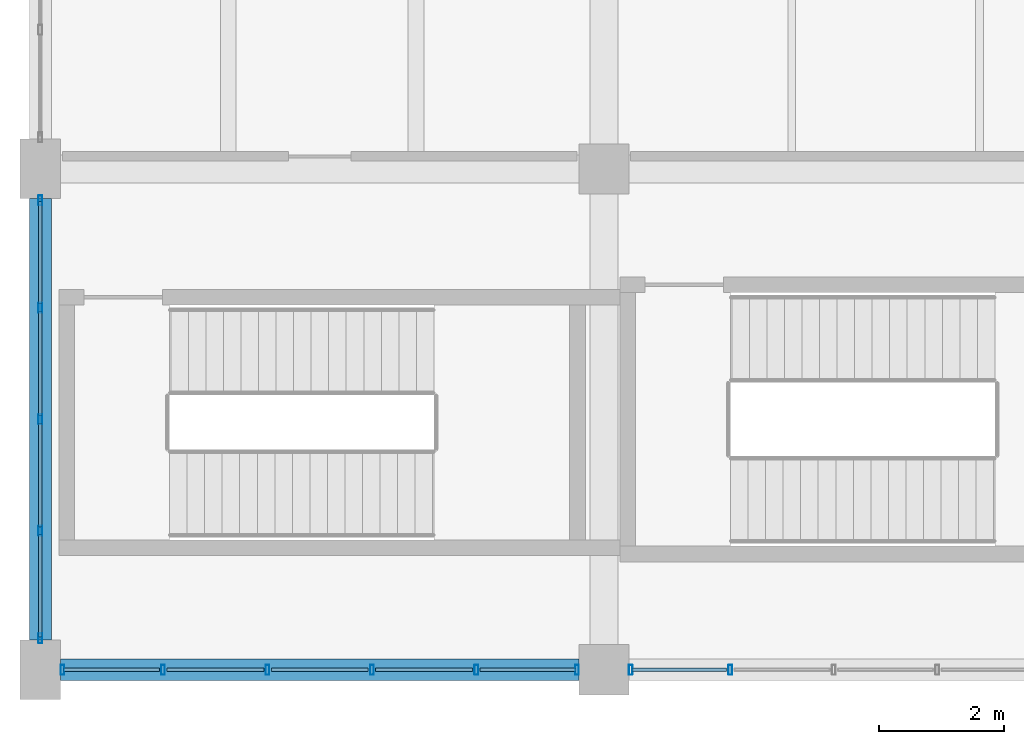
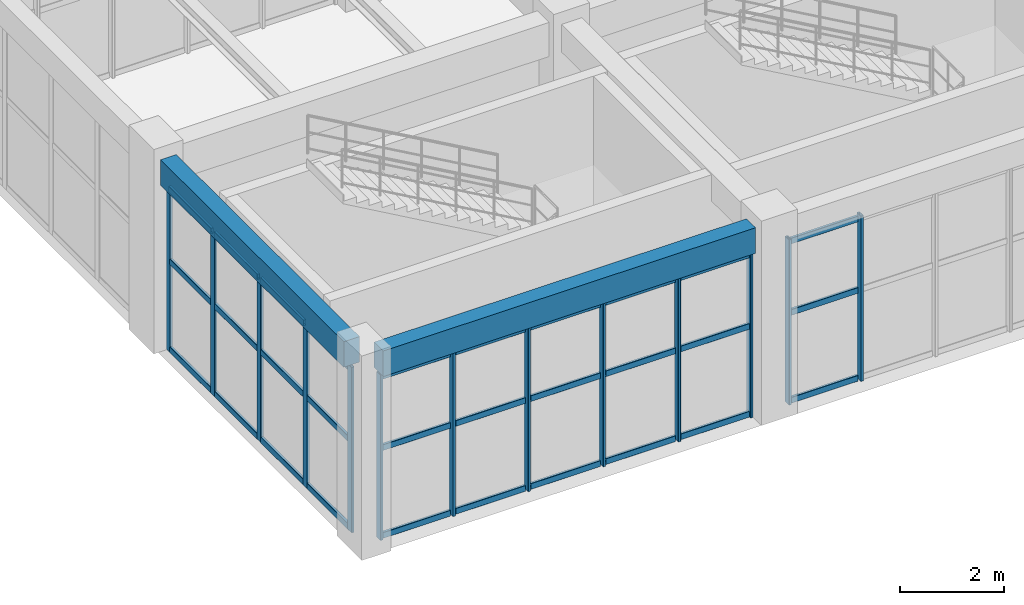
# One storey, part 11 of 178: 43 members, 2 beams, 3 elements without a shape of their own.
"""IFC4 building model written with IfcOpenShell, lengths in metres."""

import ifcopenshell
import ifcopenshell.guid

model = None  # the IFC model being written
_history = None  # IfcOwnerHistory: only IFC2X3 demands one
_inside = {}  # id of a spatial element -> (the spatial element, [elements in it])
_under = {}  # id of a project, library or spatial element -> (it, [spatial elements below it])
_declared = {}  # id of a project -> (the project, [libraries it declares])
_typed = {}  # id of a type object -> (the type object, [elements of that type])
_made_of = {}  # id of a material, layer set ... -> (it, [elements and type objects made of it])


def new_model(schema):
    """Start an empty IFC model of exactly this schema.

    Asked for "IFC4X3", IfcOpenShell would pick the latest addendum, in which some entities
    have other attributes; the version numbers below select the first issue.
    IFC2X3 requires an IfcOwnerHistory on every rooted entity: one is made here for all.
    """
    global model, _history
    if schema == "IFC4X3":
        model = ifcopenshell.file(schema_version=(4, 3, 0, 0))
    else:
        model = ifcopenshell.file(schema=schema)
    _inside.clear()
    _under.clear()
    _declared.clear()
    _typed.clear()
    _made_of.clear()
    _history = None
    if model.schema == "IFC2X3":
        org = make("IfcOrganization", Name="unknown")
        user = make(
            "IfcPersonAndOrganization",
            ThePerson=make("IfcPerson", FamilyName="unknown"),
            TheOrganization=org,
        )
        app = make(
            "IfcApplication",
            ApplicationDeveloper=org,
            Version="unknown",
            ApplicationFullName="unknown",
            ApplicationIdentifier="unknown",
        )
        _history = make(
            "IfcOwnerHistory",
            OwningUser=user,
            OwningApplication=app,
            ChangeAction="ADDED",
            CreationDate=0,
        )
    return model


def make(cls, **values):
    """One entity of the class cls with the attributes given. An attribute that is None is left unset."""
    return model.create_entity(
        cls, **{name: value for name, value in values.items() if value is not None}
    )


def rooted(cls, **values):
    """An entity with a GlobalId (a new one), such as an element, a storey or a relation."""
    return make(cls, GlobalId=ifcopenshell.guid.new(), OwnerHistory=_history, **values)


def si_unit(unit_type, name, prefix=None):
    """IfcSIUnit, for example si_unit("LENGTHUNIT", "METRE", prefix="MILLI")."""
    return make("IfcSIUnit", UnitType=unit_type, Prefix=prefix, Name=name)


def derived_unit(unit_type, elements):
    """IfcDerivedUnit: a product of units, each with its exponent."""
    return make(
        "IfcDerivedUnit",
        Elements=[
            make("IfcDerivedUnitElement", Unit=unit, Exponent=power)
            for unit, power in elements
        ],
        UnitType=unit_type,
    )


def assignment(units):
    """IfcUnitAssignment: the units of a project."""
    return None if units is None else make("IfcUnitAssignment", Units=units)


def point(xyz):
    """IfcCartesianPoint."""
    return None if xyz is None else make("IfcCartesianPoint", Coordinates=xyz)


def direction(xyz):
    """IfcDirection."""
    return None if xyz is None else make("IfcDirection", DirectionRatios=xyz)


def frame(location, z_axis=None, x_axis=None):
    """IfcAxis2Placement3D, a coordinate frame: its origin and axes. An axis left out is left unset."""
    return make(
        "IfcAxis2Placement3D",
        Location=point(location),
        Axis=direction(z_axis),
        RefDirection=direction(x_axis),
    )


def frame_2d(location, x_axis=None):
    """IfcAxis2Placement2D, a coordinate frame in the plane: its origin and x axis."""
    return make(
        "IfcAxis2Placement2D", Location=point(location), RefDirection=direction(x_axis)
    )


def origin():
    """The frame at (0, 0, 0) with its axes left unset."""
    return frame((0.0, 0.0, 0.0))


def origin_2d():
    """The frame at (0, 0) in the plane with its x axis left unset."""
    return frame_2d((0.0, 0.0))


def place(relative_to, where):
    """IfcLocalPlacement: puts the frame where relative to a parent placement (None: the world)."""
    return make(
        "IfcLocalPlacement", PlacementRelTo=relative_to, RelativePlacement=where
    )


def context(
    kind, dimensions, precision=None, world=None, true_north=None, identifier=None
):
    """IfcGeometricRepresentationContext, for example the 3D "Model" context."""
    return make(
        "IfcGeometricRepresentationContext",
        ContextIdentifier=identifier,
        ContextType=kind,
        CoordinateSpaceDimension=dimensions,
        Precision=precision,
        WorldCoordinateSystem=world,
        TrueNorth=true_north,
    )


def subcontext(parent, identifier, kind, view, scale=None):
    """IfcGeometricRepresentationSubContext, for example "Body" below "Model"."""
    return make(
        "IfcGeometricRepresentationSubContext",
        ContextIdentifier=identifier,
        ContextType=kind,
        ParentContext=parent,
        TargetScale=scale,
        TargetView=view,
    )


def project(units=None, contexts=None):
    """IfcProject with its units and contexts."""
    return rooted(
        "IfcProject",
        Name="project",
        RepresentationContexts=contexts,
        UnitsInContext=assignment(units),
    )


def spatial(cls, under=None, at=None, **own):
    """A site, building, storey or space (cls), placed at a placement, below another one or the project."""
    s = rooted(cls, ObjectPlacement=at, **own)
    if under is not None:
        _under.setdefault(under.id(), (under, []))[1].append(s)
    return s


def profile(cls, at=None, kind="AREA", **sizes):
    """A parametric profile (cls). Its sizes go by their IFC names, for example OverallWidth=200.0."""
    return make(cls, ProfileType=kind, Position=at, **sizes)


def rectangle(**sizes):
    """IfcRectangleProfileDef."""
    return profile("IfcRectangleProfileDef", **sizes)


def hollow_rectangle(**sizes):
    """IfcRectangleHollowProfileDef."""
    return profile("IfcRectangleHollowProfileDef", **sizes)


def extrude(swept, where, along, depth):
    """IfcExtrudedAreaSolid: the profile swept, set in the frame where, extruded along a direction by depth."""
    return make(
        "IfcExtrudedAreaSolid",
        SweptArea=swept,
        Position=where,
        ExtrudedDirection=direction(along),
        Depth=depth,
    )


def shape(context_of_items, identifier, shape_type, items):
    """IfcShapeRepresentation: the items that make up one representation, for example the "Body"."""
    return make(
        "IfcShapeRepresentation",
        ContextOfItems=context_of_items,
        RepresentationIdentifier=identifier,
        RepresentationType=shape_type,
        Items=items,
    )


def material(Name=None, Category=None):
    """IfcMaterial."""
    return make("IfcMaterial", Name=Name, Category=Category)


def material_profile(
    of_material, cross_section, Name=None, Category=None, Priority=None
):
    """IfcMaterialProfile: a cross section and its material."""
    return make(
        "IfcMaterialProfile",
        Name=Name,
        Material=of_material,
        Profile=cross_section,
        Priority=Priority,
        Category=Category,
    )


def profile_set(profiles, Name=None, composite=None):
    """IfcMaterialProfileSet."""
    return make(
        "IfcMaterialProfileSet",
        Name=Name,
        MaterialProfiles=profiles,
        CompositeProfile=composite,
    )


def made_of(thing, what):
    """Note that an element or type object is made of a material, layer set ...; save() writes the relation."""
    if what is not None:
        _made_of.setdefault(what.id(), (what, []))[1].append(thing)
    return thing


def type_object(cls, material=None, **own):
    """A type object (cls), such as IfcWallType, which elements share."""
    return made_of(rooted(cls, **own), material)


def element(
    cls,
    number,
    at=None,
    inside=None,
    cuts=None,
    type_object=None,
    material=None,
    context=None,
    identifier="Body",
    shape_type=None,
    held_by="IfcProductDefinitionShape",
    body=None,
    shapes=None,
    **own,
):
    """One element of the class cls, such as IfcWall. Its Tag is "e" and its number.

    at: its placement. inside: the storey or other place that contains it. cuts: it is an
    opening in that element (IfcRelVoidsElement). A single representation is given by context,
    identifier, shape_type and body (its items); several are given by shapes. held_by: the class
    of the entity that holds the representations. save() writes the other relations.
    """
    e = rooted(cls, Tag="e%d" % number, ObjectPlacement=at, **own)
    if body is not None:
        shapes = [shape(context, identifier, shape_type, body)]
    if shapes is not None:
        e.Representation = make(held_by, Representations=shapes)
    if inside is not None:
        _inside.setdefault(inside.id(), (inside, []))[1].append(e)
    if cuts is not None:
        rooted(
            "IfcRelVoidsElement", RelatingBuildingElement=cuts, RelatedOpeningElement=e
        )
    if type_object is not None:
        _typed.setdefault(type_object.id(), (type_object, []))[1].append(e)
    return made_of(e, material)


def aggregate(whole, parts):
    """IfcRelAggregates: a whole, such as a stair, and the parts it consists of."""
    return rooted("IfcRelAggregates", RelatingObject=whole, RelatedObjects=parts)


def save(model, path):
    """Write the relations noted so far, then the file.

    IfcRelAggregates (storeys below a building ...), IfcRelContainedInSpatialStructure (elements
    in a storey), IfcRelDefinesByType, IfcRelAssociatesMaterial and IfcRelDeclares: one each for
    every whole, place, type object, material and project.
    """
    for whole, parts in _under.values():
        aggregate(whole, parts)
    for where, things in _inside.values():
        rooted(
            "IfcRelContainedInSpatialStructure",
            RelatedElements=things,
            RelatingStructure=where,
        )
    for kind, things in _typed.values():
        rooted("IfcRelDefinesByType", RelatedObjects=things, RelatingType=kind)
    for what, things in _made_of.values():
        rooted("IfcRelAssociatesMaterial", RelatedObjects=things, RelatingMaterial=what)
    for by, libraries in _declared.values():
        rooted("IfcRelDeclares", RelatingContext=by, RelatedDefinitions=libraries)
    model.write(path)


model = new_model("IFC4")

# Units and contexts
model_context = context("Model", 3, precision=1e-05, world=origin(), true_north=direction((0.0, 1.0)))
body_context = subcontext(model_context, "Body", "Model", "MODEL_VIEW")
ifc_project = project(units=[si_unit("LENGTHUNIT", "METRE"), si_unit("AREAUNIT", "SQUARE_METRE"), si_unit("VOLUMEUNIT", "CUBIC_METRE"), si_unit("PLANEANGLEUNIT", "RADIAN"), si_unit("MASSUNIT", "GRAM", prefix="KILO"), derived_unit("THERMALTRANSMITTANCEUNIT", [(si_unit("MASSUNIT", "GRAM", prefix="KILO"), 1), (si_unit("TIMEUNIT", "SECOND"), -3), (si_unit("THERMODYNAMICTEMPERATUREUNIT", "KELVIN"), -1)])], contexts=[model_context])

# Site, building, storey
site_placement = place(None, origin())
site = spatial("IfcSite", under=ifc_project, at=site_placement, CompositionType="ELEMENT")
building_placement = place(site_placement, origin())
building = spatial("IfcBuilding", under=site, at=building_placement, Name="Zhenchuan Archway Interchange", CompositionType="ELEMENT")
storey_placement = place(building_placement, frame((0.0, 0.0, 5.39990234375)))
storey = spatial("IfcBuildingStorey", under=building, at=storey_placement, Name="L01", CompositionType="ELEMENT", Elevation=5.39990234375)

# Curtain wall, members
ifc_material_1 = material(Name="Anodised Aluminium", Category="aluminium")
curtain_wall_type_1 = type_object("IfcCurtainWallType", Name="CW_UNIT_2", PredefinedType="NOTDEFINED", material=ifc_material_1)
curtain_wall_1_placement = place(storey_placement, origin())
curtain_wall_1 = element("IfcCurtainWall", 1, at=curtain_wall_1_placement, inside=storey, type_object=curtain_wall_type_1, Name="Unitised curtain wall CW:L01:085", PredefinedType="NOTDEFINED")
ifc_material_profile_1 = material_profile(ifc_material_1, hollow_rectangle(XDim=0.06005859375, YDim=0.159912109375, WallThickness=0.00390625, InnerFilletRadius=0.00390625, OuterFilletRadius=0.008056640625, at=origin_2d()), Name="ALU 160x60x4")
ifc_profile_set_1 = profile_set([ifc_material_profile_1], Name="Anodised Aluminium")
member_type_1 = type_object("IfcMemberType", Name="CW_MUL_150", PredefinedType="MULLION", material=ifc_profile_set_1)
member_1_placement = place(storey_placement, frame((11.020751953125, 0.0, 0.0), z_axis=(0.0, 0.0, 1.0), x_axis=(1.0, 0.0, 0.0)))
member_1 = element("IfcMember", 2, at=member_1_placement, type_object=member_type_1, Name="CW:L01:085 mullion 4", PredefinedType="MULLION", context=body_context, shape_type="SweptSolid", body=[
    extrude(hollow_rectangle(XDim=0.06005859375, YDim=0.159912109375, WallThickness=0.00390625, InnerFilletRadius=0.00390625, OuterFilletRadius=0.008056640625, at=origin_2d()), origin(), (0.0, 0.0, 1.0), 3.880126953125),
])
member_2_placement = place(storey_placement, frame((9.427978515625, 0.0, 0.0), z_axis=(0.0, 0.0, 1.0), x_axis=(1.0, 0.0, 0.0)))
member_2 = element("IfcMember", 3, at=member_2_placement, type_object=member_type_1, Name="CW:L01:085 mullion 5", PredefinedType="MULLION", context=body_context, shape_type="SweptSolid", body=[
    extrude(hollow_rectangle(XDim=0.06005859375, YDim=0.159912109375, WallThickness=0.00390625, InnerFilletRadius=0.00390625, OuterFilletRadius=0.008056640625, at=origin_2d()), origin(), (0.0, 0.0, 1.0), 3.880126953125),
])

curtain_wall_type_2 = type_object("IfcCurtainWallType", Name="CW_UNIT_3", PredefinedType="NOTDEFINED", material=ifc_material_1)
curtain_wall_2_placement = place(storey_placement, origin())
curtain_wall_2 = element("IfcCurtainWall", 4, at=curtain_wall_2_placement, inside=storey, type_object=curtain_wall_type_2, Name="Unitised curtain wall CW:L01:086", PredefinedType="NOTDEFINED")
member_3_placement = place(storey_placement, frame((8.572021484375, 0.0, 0.0), z_axis=(0.0, 0.0, 1.0), x_axis=(1.0, 0.0, 0.0)))
member_3 = element("IfcMember", 5, at=member_3_placement, type_object=member_type_1, Name="CW:L01:086 mullion 0", PredefinedType="MULLION", context=body_context, shape_type="SweptSolid", body=[
    extrude(hollow_rectangle(XDim=0.06005859375, YDim=0.159912109375, WallThickness=0.00390625, InnerFilletRadius=0.00390625, OuterFilletRadius=0.008056640625, at=origin_2d()), origin(), (0.0, 0.0, 1.0), 3.880126953125),
])
member_4_placement = place(storey_placement, frame((6.964111328125, 0.0, 0.0), z_axis=(0.0, 0.0, 1.0), x_axis=(1.0, 0.0, 0.0)))
member_4 = element("IfcMember", 6, at=member_4_placement, type_object=member_type_1, Name="CW:L01:086 mullion 1", PredefinedType="MULLION", context=body_context, shape_type="SweptSolid", body=[
    extrude(hollow_rectangle(XDim=0.06005859375, YDim=0.159912109375, WallThickness=0.00390625, InnerFilletRadius=0.00390625, OuterFilletRadius=0.008056640625, at=origin_2d()), origin(), (0.0, 0.0, 1.0), 3.880126953125),
])
member_5_placement = place(storey_placement, frame((5.29638671875, 0.0, 0.0), z_axis=(0.0, 0.0, 1.0), x_axis=(1.0, 0.0, 0.0)))
member_5 = element("IfcMember", 7, at=member_5_placement, type_object=member_type_1, Name="CW:L01:086 mullion 2", PredefinedType="MULLION", context=body_context, shape_type="SweptSolid", body=[
    extrude(hollow_rectangle(XDim=0.06005859375, YDim=0.159912109375, WallThickness=0.00390625, InnerFilletRadius=0.00390625, OuterFilletRadius=0.008056640625, at=origin_2d()), origin(), (0.0, 0.0, 1.0), 3.880126953125),
])
member_6_placement = place(storey_placement, frame((3.628662109375, 0.0, 0.0), z_axis=(0.0, 0.0, 1.0), x_axis=(1.0, 0.0, 0.0)))
member_6 = element("IfcMember", 8, at=member_6_placement, type_object=member_type_1, Name="CW:L01:086 mullion 3", PredefinedType="MULLION", context=body_context, shape_type="SweptSolid", body=[
    extrude(hollow_rectangle(XDim=0.06005859375, YDim=0.159912109375, WallThickness=0.00390625, InnerFilletRadius=0.00390625, OuterFilletRadius=0.008056640625, at=origin_2d()), origin(), (0.0, 0.0, 1.0), 3.880126953125),
])
member_7_placement = place(storey_placement, frame((1.960693359375, 0.0, 0.0), z_axis=(0.0, 0.0, 1.0), x_axis=(1.0, 0.0, 0.0)))
member_7 = element("IfcMember", 9, at=member_7_placement, type_object=member_type_1, Name="CW:L01:086 mullion 4", PredefinedType="MULLION", context=body_context, shape_type="SweptSolid", body=[
    extrude(hollow_rectangle(XDim=0.06005859375, YDim=0.159912109375, WallThickness=0.00390625, InnerFilletRadius=0.00390625, OuterFilletRadius=0.008056640625, at=origin_2d()), origin(), (0.0, 0.0, 1.0), 3.880126953125),
])
member_8_placement = place(storey_placement, frame((0.35302734375, 0.0, 0.0), z_axis=(0.0, 0.0, 1.0), x_axis=(1.0, 0.0, 0.0)))
member_8 = element("IfcMember", 10, at=member_8_placement, type_object=member_type_1, Name="CW:L01:086 mullion 5", PredefinedType="MULLION", context=body_context, shape_type="SweptSolid", body=[
    extrude(hollow_rectangle(XDim=0.06005859375, YDim=0.159912109375, WallThickness=0.00390625, InnerFilletRadius=0.00390625, OuterFilletRadius=0.008056640625, at=origin_2d()), origin(), (0.0, 0.0, 1.0), 3.880126953125),
])

curtain_wall_type_3 = type_object("IfcCurtainWallType", Name="CW_UNIT_4", PredefinedType="NOTDEFINED", material=ifc_material_1)
curtain_wall_3_placement = place(storey_placement, origin())
curtain_wall_3 = element("IfcCurtainWall", 11, at=curtain_wall_3_placement, inside=storey, type_object=curtain_wall_type_3, Name="Unitised curtain wall CW:L01:087", PredefinedType="NOTDEFINED")
member_9_placement = place(storey_placement, frame((0.0, 0.5029296875, 0.0), z_axis=(0.0, 0.0, 1.0), x_axis=(1.0, 0.0, 0.0)))
member_9 = element("IfcMember", 12, at=member_9_placement, type_object=member_type_1, Name="CW:L01:087 mullion 0", PredefinedType="MULLION", context=body_context, shape_type="SweptSolid", body=[
    extrude(hollow_rectangle(XDim=0.06005859375, YDim=0.159912109375, WallThickness=0.00390625, InnerFilletRadius=0.00390625, OuterFilletRadius=0.008056640625, at=origin_2d()), origin(), (0.0, 0.0, 1.0), 3.880126953125),
])
member_10_placement = place(storey_placement, frame((0.0, 2.221435546875, 0.0), z_axis=(0.0, 0.0, 1.0), x_axis=(1.0, 0.0, 0.0)))
member_10 = element("IfcMember", 13, at=member_10_placement, type_object=member_type_1, Name="CW:L01:087 mullion 1", PredefinedType="MULLION", context=body_context, shape_type="SweptSolid", body=[
    extrude(hollow_rectangle(XDim=0.06005859375, YDim=0.159912109375, WallThickness=0.00390625, InnerFilletRadius=0.00390625, OuterFilletRadius=0.008056640625, at=origin_2d()), origin(), (0.0, 0.0, 1.0), 3.880126953125),
])
member_11_placement = place(storey_placement, frame((0.0, 4.0, 0.0), z_axis=(0.0, 0.0, 1.0), x_axis=(1.0, 0.0, 0.0)))
member_11 = element("IfcMember", 14, at=member_11_placement, type_object=member_type_1, Name="CW:L01:087 mullion 2", PredefinedType="MULLION", context=body_context, shape_type="SweptSolid", body=[
    extrude(hollow_rectangle(XDim=0.06005859375, YDim=0.159912109375, WallThickness=0.00390625, InnerFilletRadius=0.00390625, OuterFilletRadius=0.008056640625, at=origin_2d()), origin(), (0.0, 0.0, 1.0), 3.880126953125),
])
member_12_placement = place(storey_placement, frame((0.0, 5.778564453125, 0.0), z_axis=(0.0, 0.0, 1.0), x_axis=(1.0, 0.0, 0.0)))
member_12 = element("IfcMember", 15, at=member_12_placement, type_object=member_type_1, Name="CW:L01:087 mullion 3", PredefinedType="MULLION", context=body_context, shape_type="SweptSolid", body=[
    extrude(hollow_rectangle(XDim=0.06005859375, YDim=0.159912109375, WallThickness=0.00390625, InnerFilletRadius=0.00390625, OuterFilletRadius=0.008056640625, at=origin_2d()), origin(), (0.0, 0.0, 1.0), 3.880126953125),
])
member_13_placement = place(storey_placement, frame((0.0, 7.4970703125, 0.0), z_axis=(0.0, 0.0, 1.0), x_axis=(1.0, 0.0, 0.0)))
member_13 = element("IfcMember", 16, at=member_13_placement, type_object=member_type_1, Name="CW:L01:087 mullion 4", PredefinedType="MULLION", context=body_context, shape_type="SweptSolid", body=[
    extrude(hollow_rectangle(XDim=0.06005859375, YDim=0.159912109375, WallThickness=0.00390625, InnerFilletRadius=0.00390625, OuterFilletRadius=0.008056640625, at=origin_2d()), origin(), (0.0, 0.0, 1.0), 3.880126953125),
])

# Member
ifc_material_profile_2 = material_profile(ifc_material_1, hollow_rectangle(XDim=0.06005859375, YDim=0.139892578125, WallThickness=0.00341796875, InnerFilletRadius=0.00341796875, OuterFilletRadius=0.007080078125, at=origin_2d()), Name="ALU 140x60x3.5")
ifc_profile_set_2 = profile_set([ifc_material_profile_2], Name="Anodised Aluminium")
member_type_2 = type_object("IfcMemberType", Name="CW_TRN_140", PredefinedType="USERDEFINED", material=ifc_profile_set_2)
member_14_placement = place(storey_placement, frame((10.960693359375, 0.0, 0.06005859375), z_axis=(-1.0, 0.0, 0.0), x_axis=(0.0, -1.0, 0.0)))
member_14 = element("IfcMember", 17, at=member_14_placement, type_object=member_type_2, Name="CW:L01:085 transom 4-1", ObjectType="TRANSOM", PredefinedType="USERDEFINED", context=body_context, shape_type="SweptSolid", body=[
    extrude(hollow_rectangle(XDim=0.06005859375, YDim=0.139892578125, WallThickness=0.00341796875, InnerFilletRadius=0.00341796875, OuterFilletRadius=0.007080078125, at=origin_2d()), origin(), (0.0, 0.0, 1.0), 1.5126953125),
])

member_15_placement = place(storey_placement, frame((10.960693359375, 0.0, 2.123046875), z_axis=(-1.0, 0.0, 0.0), x_axis=(0.0, -1.0, 0.0)))
member_15 = element("IfcMember", 18, at=member_15_placement, type_object=member_type_2, Name="CW:L01:085 transom 4-2", ObjectType="TRANSOM", PredefinedType="USERDEFINED", context=body_context, shape_type="SweptSolid", body=[
    extrude(hollow_rectangle(XDim=0.06005859375, YDim=0.139892578125, WallThickness=0.00341796875, InnerFilletRadius=0.00341796875, OuterFilletRadius=0.007080078125, at=origin_2d()), origin(), (0.0, 0.0, 1.0), 1.5126953125),
])

member_16_placement = place(storey_placement, frame((10.960693359375, 0.0, 3.800048828125), z_axis=(-1.0, 0.0, 0.0), x_axis=(0.0, -1.0, 0.0)))
member_16 = element("IfcMember", 19, at=member_16_placement, type_object=member_type_2, Name="CW:L01:085 transom 4-3", ObjectType="TRANSOM", PredefinedType="USERDEFINED", context=body_context, shape_type="SweptSolid", body=[
    extrude(hollow_rectangle(XDim=0.06005859375, YDim=0.139892578125, WallThickness=0.00341796875, InnerFilletRadius=0.00341796875, OuterFilletRadius=0.007080078125, at=origin_2d()), origin(), (0.0, 0.0, 1.0), 1.5126953125),
])

aggregate(curtain_wall_1, [member_1, member_2, member_14, member_15, member_16])

member_17_placement = place(storey_placement, frame((8.552001953125, 0.0, 0.06005859375), z_axis=(-1.0, 0.0, 0.0), x_axis=(0.0, -1.0, 0.0)))
member_17 = element("IfcMember", 20, at=member_17_placement, type_object=member_type_2, Name="CW:L01:086 transom 0-1", ObjectType="TRANSOM", PredefinedType="USERDEFINED", context=body_context, shape_type="SweptSolid", body=[
    extrude(hollow_rectangle(XDim=0.06005859375, YDim=0.139892578125, WallThickness=0.00341796875, InnerFilletRadius=0.00341796875, OuterFilletRadius=0.007080078125, at=origin_2d()), origin(), (0.0, 0.0, 1.0), 1.52783203125),
])

member_18_placement = place(storey_placement, frame((8.552001953125, 0.0, 2.123046875), z_axis=(-1.0, 0.0, 0.0), x_axis=(0.0, -1.0, 0.0)))
member_18 = element("IfcMember", 21, at=member_18_placement, type_object=member_type_2, Name="CW:L01:086 transom 0-2", ObjectType="TRANSOM", PredefinedType="USERDEFINED", context=body_context, shape_type="SweptSolid", body=[
    extrude(hollow_rectangle(XDim=0.06005859375, YDim=0.139892578125, WallThickness=0.00341796875, InnerFilletRadius=0.00341796875, OuterFilletRadius=0.007080078125, at=origin_2d()), origin(), (0.0, 0.0, 1.0), 1.52783203125),
])

member_19_placement = place(storey_placement, frame((8.552001953125, 0.0, 3.800048828125), z_axis=(-1.0, 0.0, 0.0), x_axis=(0.0, -1.0, 0.0)))
member_19 = element("IfcMember", 22, at=member_19_placement, type_object=member_type_2, Name="CW:L01:086 transom 0-3", ObjectType="TRANSOM", PredefinedType="USERDEFINED", context=body_context, shape_type="SweptSolid", body=[
    extrude(hollow_rectangle(XDim=0.06005859375, YDim=0.139892578125, WallThickness=0.00341796875, InnerFilletRadius=0.00341796875, OuterFilletRadius=0.007080078125, at=origin_2d()), origin(), (0.0, 0.0, 1.0), 1.52783203125),
])

member_20_placement = place(storey_placement, frame((6.904296875, 0.0, 0.06005859375), z_axis=(-1.0, 0.0, 0.0), x_axis=(0.0, -1.0, 0.0)))
member_20 = element("IfcMember", 23, at=member_20_placement, type_object=member_type_2, Name="CW:L01:086 transom 1-1", ObjectType="TRANSOM", PredefinedType="USERDEFINED", context=body_context, shape_type="SweptSolid", body=[
    extrude(hollow_rectangle(XDim=0.06005859375, YDim=0.139892578125, WallThickness=0.00341796875, InnerFilletRadius=0.00341796875, OuterFilletRadius=0.007080078125, at=origin_2d()), origin(), (0.0, 0.0, 1.0), 1.5478515625),
])

member_21_placement = place(storey_placement, frame((6.904296875, 0.0, 2.123046875), z_axis=(-1.0, 0.0, 0.0), x_axis=(0.0, -1.0, 0.0)))
member_21 = element("IfcMember", 24, at=member_21_placement, type_object=member_type_2, Name="CW:L01:086 transom 1-2", ObjectType="TRANSOM", PredefinedType="USERDEFINED", context=body_context, shape_type="SweptSolid", body=[
    extrude(hollow_rectangle(XDim=0.06005859375, YDim=0.139892578125, WallThickness=0.00341796875, InnerFilletRadius=0.00341796875, OuterFilletRadius=0.007080078125, at=origin_2d()), origin(), (0.0, 0.0, 1.0), 1.5478515625),
])

member_22_placement = place(storey_placement, frame((6.904296875, 0.0, 3.800048828125), z_axis=(-1.0, 0.0, 0.0), x_axis=(0.0, -1.0, 0.0)))
member_22 = element("IfcMember", 25, at=member_22_placement, type_object=member_type_2, Name="CW:L01:086 transom 1-3", ObjectType="TRANSOM", PredefinedType="USERDEFINED", context=body_context, shape_type="SweptSolid", body=[
    extrude(hollow_rectangle(XDim=0.06005859375, YDim=0.139892578125, WallThickness=0.00341796875, InnerFilletRadius=0.00341796875, OuterFilletRadius=0.007080078125, at=origin_2d()), origin(), (0.0, 0.0, 1.0), 1.5478515625),
])

member_23_placement = place(storey_placement, frame((5.236328125, 0.0, 0.06005859375), z_axis=(-1.0, 0.0, 0.0), x_axis=(0.0, -1.0, 0.0)))
member_23 = element("IfcMember", 26, at=member_23_placement, type_object=member_type_2, Name="CW:L01:086 transom 2-1", ObjectType="TRANSOM", PredefinedType="USERDEFINED", context=body_context, shape_type="SweptSolid", body=[
    extrude(hollow_rectangle(XDim=0.06005859375, YDim=0.139892578125, WallThickness=0.00341796875, InnerFilletRadius=0.00341796875, OuterFilletRadius=0.007080078125, at=origin_2d()), origin(), (0.0, 0.0, 1.0), 1.547607421875),
])

member_24_placement = place(storey_placement, frame((5.236328125, 0.0, 2.123046875), z_axis=(-1.0, 0.0, 0.0), x_axis=(0.0, -1.0, 0.0)))
member_24 = element("IfcMember", 27, at=member_24_placement, type_object=member_type_2, Name="CW:L01:086 transom 2-2", ObjectType="TRANSOM", PredefinedType="USERDEFINED", context=body_context, shape_type="SweptSolid", body=[
    extrude(hollow_rectangle(XDim=0.06005859375, YDim=0.139892578125, WallThickness=0.00341796875, InnerFilletRadius=0.00341796875, OuterFilletRadius=0.007080078125, at=origin_2d()), origin(), (0.0, 0.0, 1.0), 1.547607421875),
])

member_25_placement = place(storey_placement, frame((5.236328125, 0.0, 3.800048828125), z_axis=(-1.0, 0.0, 0.0), x_axis=(0.0, -1.0, 0.0)))
member_25 = element("IfcMember", 28, at=member_25_placement, type_object=member_type_2, Name="CW:L01:086 transom 2-3", ObjectType="TRANSOM", PredefinedType="USERDEFINED", context=body_context, shape_type="SweptSolid", body=[
    extrude(hollow_rectangle(XDim=0.06005859375, YDim=0.139892578125, WallThickness=0.00341796875, InnerFilletRadius=0.00341796875, OuterFilletRadius=0.007080078125, at=origin_2d()), origin(), (0.0, 0.0, 1.0), 1.547607421875),
])

member_26_placement = place(storey_placement, frame((3.568603515625, 0.0, 0.06005859375), z_axis=(-1.0, 0.0, 0.0), x_axis=(0.0, -1.0, 0.0)))
member_26 = element("IfcMember", 29, at=member_26_placement, type_object=member_type_2, Name="CW:L01:086 transom 3-1", ObjectType="TRANSOM", PredefinedType="USERDEFINED", context=body_context, shape_type="SweptSolid", body=[
    extrude(hollow_rectangle(XDim=0.06005859375, YDim=0.139892578125, WallThickness=0.00341796875, InnerFilletRadius=0.00341796875, OuterFilletRadius=0.007080078125, at=origin_2d()), origin(), (0.0, 0.0, 1.0), 1.5478515625),
])

member_27_placement = place(storey_placement, frame((3.568603515625, 0.0, 2.123046875), z_axis=(-1.0, 0.0, 0.0), x_axis=(0.0, -1.0, 0.0)))
member_27 = element("IfcMember", 30, at=member_27_placement, type_object=member_type_2, Name="CW:L01:086 transom 3-2", ObjectType="TRANSOM", PredefinedType="USERDEFINED", context=body_context, shape_type="SweptSolid", body=[
    extrude(hollow_rectangle(XDim=0.06005859375, YDim=0.139892578125, WallThickness=0.00341796875, InnerFilletRadius=0.00341796875, OuterFilletRadius=0.007080078125, at=origin_2d()), origin(), (0.0, 0.0, 1.0), 1.5478515625),
])

member_28_placement = place(storey_placement, frame((3.568603515625, 0.0, 3.800048828125), z_axis=(-1.0, 0.0, 0.0), x_axis=(0.0, -1.0, 0.0)))
member_28 = element("IfcMember", 31, at=member_28_placement, type_object=member_type_2, Name="CW:L01:086 transom 3-3", ObjectType="TRANSOM", PredefinedType="USERDEFINED", context=body_context, shape_type="SweptSolid", body=[
    extrude(hollow_rectangle(XDim=0.06005859375, YDim=0.139892578125, WallThickness=0.00341796875, InnerFilletRadius=0.00341796875, OuterFilletRadius=0.007080078125, at=origin_2d()), origin(), (0.0, 0.0, 1.0), 1.5478515625),
])

member_29_placement = place(storey_placement, frame((1.90087890625, 0.0, 0.06005859375), z_axis=(-1.0, 0.0, 0.0), x_axis=(0.0, -1.0, 0.0)))
member_29 = element("IfcMember", 32, at=member_29_placement, type_object=member_type_2, Name="CW:L01:086 transom 4-1", ObjectType="TRANSOM", PredefinedType="USERDEFINED", context=body_context, shape_type="SweptSolid", body=[
    extrude(hollow_rectangle(XDim=0.06005859375, YDim=0.139892578125, WallThickness=0.00341796875, InnerFilletRadius=0.00341796875, OuterFilletRadius=0.007080078125, at=origin_2d()), origin(), (0.0, 0.0, 1.0), 1.52783203125),
])

member_30_placement = place(storey_placement, frame((1.90087890625, 0.0, 2.123046875), z_axis=(-1.0, 0.0, 0.0), x_axis=(0.0, -1.0, 0.0)))
member_30 = element("IfcMember", 33, at=member_30_placement, type_object=member_type_2, Name="CW:L01:086 transom 4-2", ObjectType="TRANSOM", PredefinedType="USERDEFINED", context=body_context, shape_type="SweptSolid", body=[
    extrude(hollow_rectangle(XDim=0.06005859375, YDim=0.139892578125, WallThickness=0.00341796875, InnerFilletRadius=0.00341796875, OuterFilletRadius=0.007080078125, at=origin_2d()), origin(), (0.0, 0.0, 1.0), 1.52783203125),
])

member_31_placement = place(storey_placement, frame((1.90087890625, 0.0, 3.800048828125), z_axis=(-1.0, 0.0, 0.0), x_axis=(0.0, -1.0, 0.0)))
member_31 = element("IfcMember", 34, at=member_31_placement, type_object=member_type_2, Name="CW:L01:086 transom 4-3", ObjectType="TRANSOM", PredefinedType="USERDEFINED", context=body_context, shape_type="SweptSolid", body=[
    extrude(hollow_rectangle(XDim=0.06005859375, YDim=0.139892578125, WallThickness=0.00341796875, InnerFilletRadius=0.00341796875, OuterFilletRadius=0.007080078125, at=origin_2d()), origin(), (0.0, 0.0, 1.0), 1.52783203125),
])

aggregate(curtain_wall_2, [member_3, member_4, member_5, member_6, member_7, member_8, member_17, member_18, member_19, member_20, member_21, member_22, member_23, member_24, member_25, member_26, member_27, member_28, member_29, member_30, member_31])

member_32_placement = place(storey_placement, frame((0.0, 0.52294921875, 0.06005859375), z_axis=(0.0, 1.0, 0.0), x_axis=(-1.0, 0.0, 0.0)))
member_32 = element("IfcMember", 35, at=member_32_placement, type_object=member_type_2, Name="CW:L01:087 transom 0-1", ObjectType="TRANSOM", PredefinedType="USERDEFINED", context=body_context, shape_type="SweptSolid", body=[
    extrude(hollow_rectangle(XDim=0.06005859375, YDim=0.139892578125, WallThickness=0.00341796875, InnerFilletRadius=0.00341796875, OuterFilletRadius=0.007080078125, at=origin_2d()), origin(), (0.0, 0.0, 1.0), 1.638671875),
])

member_33_placement = place(storey_placement, frame((0.0, 0.52294921875, 2.123046875), z_axis=(0.0, 1.0, 0.0), x_axis=(-1.0, 0.0, 0.0)))
member_33 = element("IfcMember", 36, at=member_33_placement, type_object=member_type_2, Name="CW:L01:087 transom 0-2", ObjectType="TRANSOM", PredefinedType="USERDEFINED", context=body_context, shape_type="SweptSolid", body=[
    extrude(hollow_rectangle(XDim=0.06005859375, YDim=0.139892578125, WallThickness=0.00341796875, InnerFilletRadius=0.00341796875, OuterFilletRadius=0.007080078125, at=origin_2d()), origin(), (0.0, 0.0, 1.0), 1.638671875),
])

member_34_placement = place(storey_placement, frame((0.0, 0.52294921875, 3.800048828125), z_axis=(0.0, 1.0, 0.0), x_axis=(-1.0, 0.0, 0.0)))
member_34 = element("IfcMember", 37, at=member_34_placement, type_object=member_type_2, Name="CW:L01:087 transom 0-3", ObjectType="TRANSOM", PredefinedType="USERDEFINED", context=body_context, shape_type="SweptSolid", body=[
    extrude(hollow_rectangle(XDim=0.06005859375, YDim=0.139892578125, WallThickness=0.00341796875, InnerFilletRadius=0.00341796875, OuterFilletRadius=0.007080078125, at=origin_2d()), origin(), (0.0, 0.0, 1.0), 1.638671875),
])

member_35_placement = place(storey_placement, frame((0.0, 2.281494140625, 0.06005859375), z_axis=(0.0, 1.0, 0.0), x_axis=(-1.0, 0.0, 0.0)))
member_35 = element("IfcMember", 38, at=member_35_placement, type_object=member_type_2, Name="CW:L01:087 transom 1-1", ObjectType="TRANSOM", PredefinedType="USERDEFINED", context=body_context, shape_type="SweptSolid", body=[
    extrude(hollow_rectangle(XDim=0.06005859375, YDim=0.139892578125, WallThickness=0.00341796875, InnerFilletRadius=0.00341796875, OuterFilletRadius=0.007080078125, at=origin_2d()), origin(), (0.0, 0.0, 1.0), 1.658447265625),
])

member_36_placement = place(storey_placement, frame((0.0, 2.281494140625, 2.123046875), z_axis=(0.0, 1.0, 0.0), x_axis=(-1.0, 0.0, 0.0)))
member_36 = element("IfcMember", 39, at=member_36_placement, type_object=member_type_2, Name="CW:L01:087 transom 1-2", ObjectType="TRANSOM", PredefinedType="USERDEFINED", context=body_context, shape_type="SweptSolid", body=[
    extrude(hollow_rectangle(XDim=0.06005859375, YDim=0.139892578125, WallThickness=0.00341796875, InnerFilletRadius=0.00341796875, OuterFilletRadius=0.007080078125, at=origin_2d()), origin(), (0.0, 0.0, 1.0), 1.658447265625),
])

member_37_placement = place(storey_placement, frame((0.0, 2.281494140625, 3.800048828125), z_axis=(0.0, 1.0, 0.0), x_axis=(-1.0, 0.0, 0.0)))
member_37 = element("IfcMember", 40, at=member_37_placement, type_object=member_type_2, Name="CW:L01:087 transom 1-3", ObjectType="TRANSOM", PredefinedType="USERDEFINED", context=body_context, shape_type="SweptSolid", body=[
    extrude(hollow_rectangle(XDim=0.06005859375, YDim=0.139892578125, WallThickness=0.00341796875, InnerFilletRadius=0.00341796875, OuterFilletRadius=0.007080078125, at=origin_2d()), origin(), (0.0, 0.0, 1.0), 1.658447265625),
])

member_38_placement = place(storey_placement, frame((0.0, 4.06005859375, 0.06005859375), z_axis=(0.0, 1.0, 0.0), x_axis=(-1.0, 0.0, 0.0)))
member_38 = element("IfcMember", 41, at=member_38_placement, type_object=member_type_2, Name="CW:L01:087 transom 2-1", ObjectType="TRANSOM", PredefinedType="USERDEFINED", context=body_context, shape_type="SweptSolid", body=[
    extrude(hollow_rectangle(XDim=0.06005859375, YDim=0.139892578125, WallThickness=0.00341796875, InnerFilletRadius=0.00341796875, OuterFilletRadius=0.007080078125, at=origin_2d()), origin(), (0.0, 0.0, 1.0), 1.658447265625),
])

member_39_placement = place(storey_placement, frame((0.0, 4.06005859375, 2.123046875), z_axis=(0.0, 1.0, 0.0), x_axis=(-1.0, 0.0, 0.0)))
member_39 = element("IfcMember", 42, at=member_39_placement, type_object=member_type_2, Name="CW:L01:087 transom 2-2", ObjectType="TRANSOM", PredefinedType="USERDEFINED", context=body_context, shape_type="SweptSolid", body=[
    extrude(hollow_rectangle(XDim=0.06005859375, YDim=0.139892578125, WallThickness=0.00341796875, InnerFilletRadius=0.00341796875, OuterFilletRadius=0.007080078125, at=origin_2d()), origin(), (0.0, 0.0, 1.0), 1.658447265625),
])

member_40_placement = place(storey_placement, frame((0.0, 4.06005859375, 3.800048828125), z_axis=(0.0, 1.0, 0.0), x_axis=(-1.0, 0.0, 0.0)))
member_40 = element("IfcMember", 43, at=member_40_placement, type_object=member_type_2, Name="CW:L01:087 transom 2-3", ObjectType="TRANSOM", PredefinedType="USERDEFINED", context=body_context, shape_type="SweptSolid", body=[
    extrude(hollow_rectangle(XDim=0.06005859375, YDim=0.139892578125, WallThickness=0.00341796875, InnerFilletRadius=0.00341796875, OuterFilletRadius=0.007080078125, at=origin_2d()), origin(), (0.0, 0.0, 1.0), 1.658447265625),
])

member_41_placement = place(storey_placement, frame((0.0, 5.83837890625, 0.06005859375), z_axis=(0.0, 1.0, 0.0), x_axis=(-1.0, 0.0, 0.0)))
member_41 = element("IfcMember", 44, at=member_41_placement, type_object=member_type_2, Name="CW:L01:087 transom 3-1", ObjectType="TRANSOM", PredefinedType="USERDEFINED", context=body_context, shape_type="SweptSolid", body=[
    extrude(hollow_rectangle(XDim=0.06005859375, YDim=0.139892578125, WallThickness=0.00341796875, InnerFilletRadius=0.00341796875, OuterFilletRadius=0.007080078125, at=origin_2d()), origin(), (0.0, 0.0, 1.0), 1.638671875),
])

member_42_placement = place(storey_placement, frame((0.0, 5.83837890625, 2.123046875), z_axis=(0.0, 1.0, 0.0), x_axis=(-1.0, 0.0, 0.0)))
member_42 = element("IfcMember", 45, at=member_42_placement, type_object=member_type_2, Name="CW:L01:087 transom 3-2", ObjectType="TRANSOM", PredefinedType="USERDEFINED", context=body_context, shape_type="SweptSolid", body=[
    extrude(hollow_rectangle(XDim=0.06005859375, YDim=0.139892578125, WallThickness=0.00341796875, InnerFilletRadius=0.00341796875, OuterFilletRadius=0.007080078125, at=origin_2d()), origin(), (0.0, 0.0, 1.0), 1.638671875),
])

member_43_placement = place(storey_placement, frame((0.0, 5.83837890625, 3.800048828125), z_axis=(0.0, 1.0, 0.0), x_axis=(-1.0, 0.0, 0.0)))
member_43 = element("IfcMember", 46, at=member_43_placement, type_object=member_type_2, Name="CW:L01:087 transom 3-3", ObjectType="TRANSOM", PredefinedType="USERDEFINED", context=body_context, shape_type="SweptSolid", body=[
    extrude(hollow_rectangle(XDim=0.06005859375, YDim=0.139892578125, WallThickness=0.00341796875, InnerFilletRadius=0.00341796875, OuterFilletRadius=0.007080078125, at=origin_2d()), origin(), (0.0, 0.0, 1.0), 1.638671875),
])

aggregate(curtain_wall_3, [member_9, member_10, member_11, member_12, member_13, member_32, member_33, member_34, member_35, member_36, member_37, member_38, member_39, member_40, member_41, member_42, member_43])

# Beams
ifc_material_2 = material(Name="Concrete C40", Category="concrete")
ifc_material_profile_3 = material_profile(ifc_material_2, rectangle(XDim=0.35009765625, YDim=0.60009765625, at=origin_2d()), Name="RC 350x600")
ifc_profile_set_3 = profile_set([ifc_material_profile_3], Name="Concrete C40")
beam_type = type_object("IfcBeamType", Name="SP_RC_350x600", PredefinedType="SPANDREL", material=ifc_profile_set_3)
beam_1_placement = place(storey_placement, frame((0.324951171875, 0.0, 4.210205078125), z_axis=(1.0, 0.0, 0.0), x_axis=(0.0, 1.0, 0.0)))
element("IfcBeam", 47, at=beam_1_placement, inside=storey, type_object=beam_type, Name="Beam A:1-2 (L01)", PredefinedType="SPANDREL", context=body_context, shape_type="SweptSolid", body=[
    extrude(rectangle(XDim=0.35009765625, YDim=0.60009765625, at=origin_2d()), origin(), (0.0, 0.0, 1.0), 8.275146484375),
])
beam_2_placement = place(storey_placement, frame((0.0, 0.47509765625, 4.210205078125), z_axis=(0.0, 1.0, 0.0), x_axis=(-1.0, 0.0, 0.0)))
element("IfcBeam", 48, at=beam_2_placement, inside=storey, type_object=beam_type, Name="Beam 1:A-B (L01)", PredefinedType="SPANDREL", context=body_context, shape_type="SweptSolid", body=[
    extrude(rectangle(XDim=0.35009765625, YDim=0.60009765625, at=origin_2d()), origin(), (0.0, 0.0, 1.0), 7.0498046875),
])

save(model, "model.ifc")
